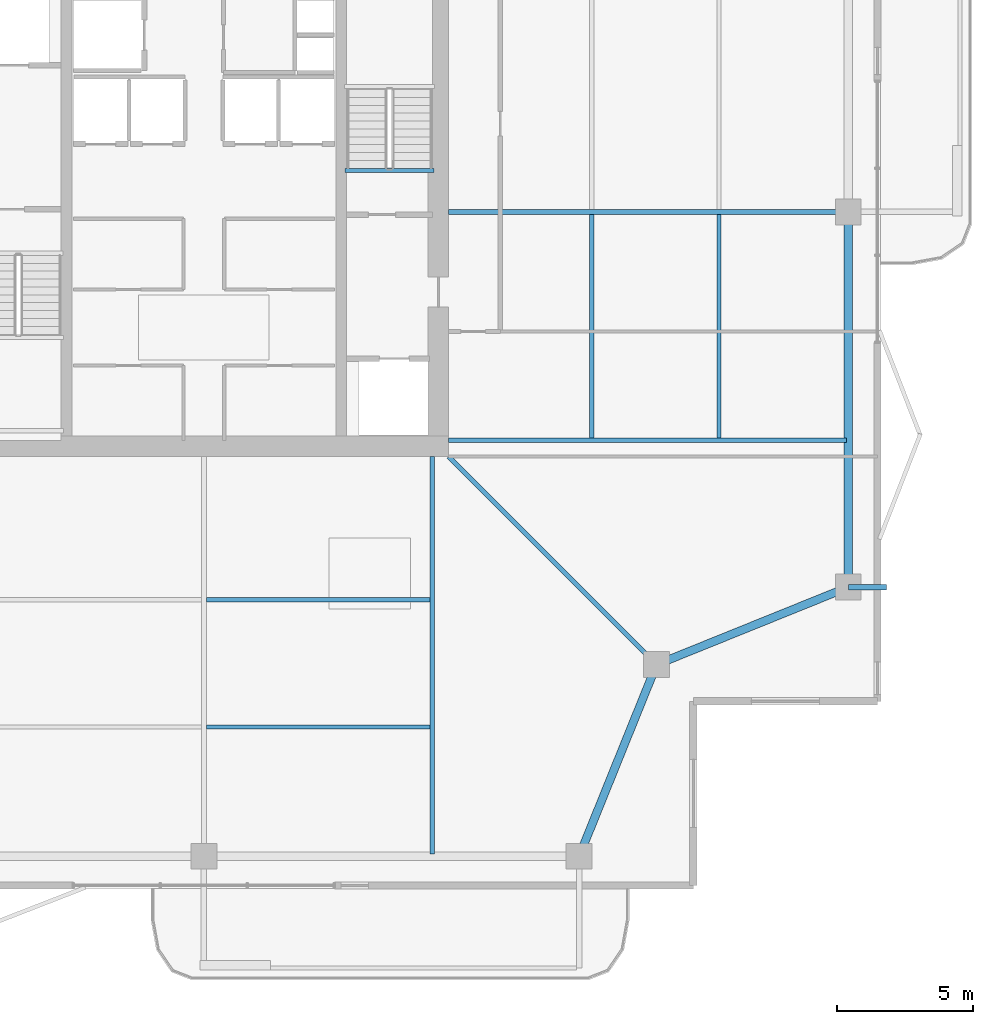
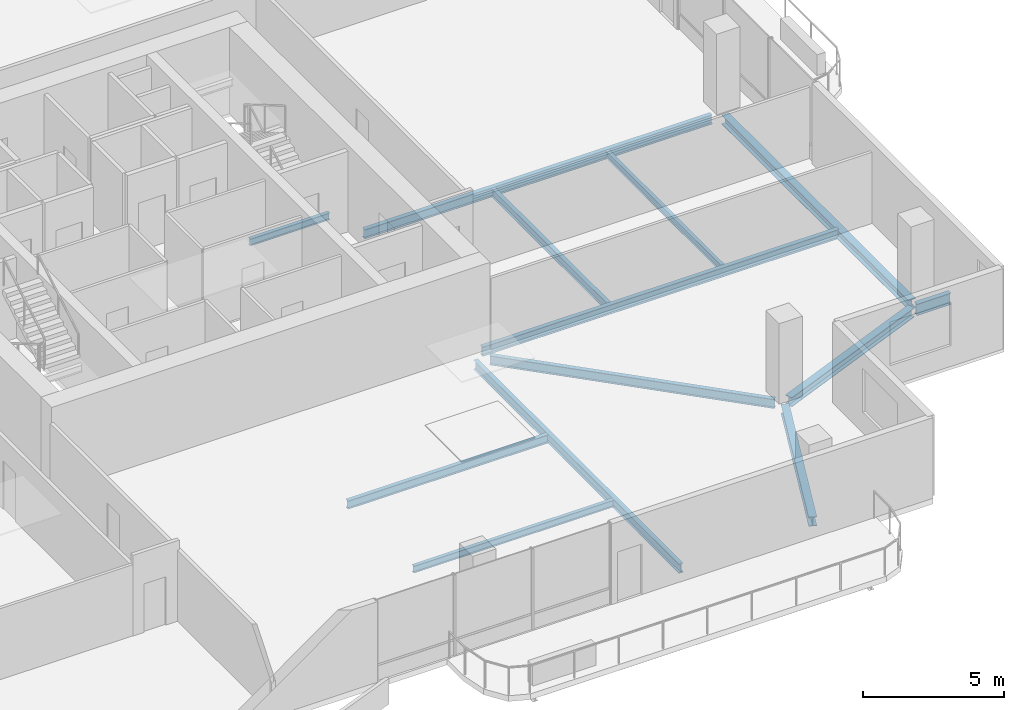
# One storey, part 9 of 24: 13 beams.
"""IFC4 building model written with IfcOpenShell, lengths in metres."""

from ifc_helpers import new_model, si_unit, direction, frame, origin, origin_2d, place, context, subcontext, project, spatial, i_section, extrude, material, material_profile, profile_set, type_object, element, save


model = new_model("IFC4")

# Units and contexts
model_context = context("Model", 3, precision=1e-05, world=origin(), true_north=direction((0.0, 1.0)))
body_context = subcontext(model_context, "Body", "Model", "MODEL_VIEW")
ifc_project = project(units=[si_unit("LENGTHUNIT", "METRE"), si_unit("AREAUNIT", "SQUARE_METRE"), si_unit("VOLUMEUNIT", "CUBIC_METRE"), si_unit("PLANEANGLEUNIT", "RADIAN"), si_unit("MASSUNIT", "GRAM", prefix="KILO")], contexts=[model_context])

# Site, building, storey
site_placement = place(None, origin())
site = spatial("IfcSite", under=ifc_project, at=site_placement, CompositionType="ELEMENT")
building_placement = place(site_placement, origin())
building = spatial("IfcBuilding", under=site, at=building_placement, Name="Belovzor Exchange Tower", CompositionType="ELEMENT")
storey_placement = place(building_placement, frame((0.0, 0.0, 261.60009765625)))
storey = spatial("IfcBuildingStorey", under=building, at=storey_placement, Name="L65", CompositionType="ELEMENT", Elevation=261.60009765625)

# Beams
ifc_material_1 = material(Name="Steel S355", Category="steel")
ifc_material_profile_1 = material_profile(ifc_material_1, i_section(OverallWidth=0.199951171875, OverallDepth=0.5, WebThickness=0.01025390625, FlangeThickness=0.01611328125, at=origin_2d()))
ifc_profile_set_1 = profile_set([ifc_material_profile_1], Name="Steel S355")
beam_type_1 = type_object("IfcBeamType", Name="Planted Balcony Cantilever Beam IPE 500", PredefinedType="BEAM", material=ifc_profile_set_1)
beam_1_placement = place(storey_placement, frame((52.5, 15.0, -0.5), z_axis=(1.0, 0.0, 0.0), x_axis=(0.0, 1.0, 0.0)))
element("IfcBeam", 1, at=beam_1_placement, inside=storey, type_object=beam_type_1, Name="BC-500 Planted Balcony Cantilever Beam IPE 500", PredefinedType="BEAM", context=body_context, shape_type="SweptSolid", body=[
    extrude(i_section(OverallWidth=0.199951171875, OverallDepth=0.5, WebThickness=0.01025390625, FlangeThickness=0.01611328125, at=origin_2d()), origin(), (0.0, 0.0, 1.0), 1.39990234375),
])
ifc_material_2 = material(Name="Steel S355", Category="steel")
ifc_material_profile_2 = material_profile(ifc_material_2, i_section(OverallWidth=0.169921875, OverallDepth=0.360107421875, WebThickness=0.008056640625, FlangeThickness=0.0126953125, at=origin_2d()))
ifc_profile_set_2 = profile_set([ifc_material_profile_2], Name="Steel S355")
beam_type_2 = type_object("IfcBeamType", Name="Secondary Infill Floor Joist IPE 360", PredefinedType="BEAM", material=ifc_profile_set_2)
beam_2_placement = place(storey_placement, frame((28.889892578125, 14.534912109375, -0.43017578125), z_axis=(1.0, 0.0, 0.0), x_axis=(0.0, 1.0, 0.0)))
element("IfcBeam", 2, at=beam_2_placement, inside=storey, type_object=beam_type_2, Name="FJ-360 Secondary Infill Floor Joist IPE 360", PredefinedType="BEAM", context=body_context, shape_type="SweptSolid", body=[
    extrude(i_section(OverallWidth=0.169921875, OverallDepth=0.360107421875, WebThickness=0.008056640625, FlangeThickness=0.0126953125, at=origin_2d()), origin(), (0.0, 0.0, 1.0), 8.22021484375),
])
beam_3_placement = place(storey_placement, frame((43.06494140625, 20.489990234375, -0.43017578125), z_axis=(0.0, 1.0, 0.0), x_axis=(-1.0, 0.0, 0.0)))
element("IfcBeam", 3, at=beam_3_placement, inside=storey, type_object=beam_type_2, Name="FJ-360 Secondary Infill Floor Joist IPE 360", PredefinedType="BEAM", context=body_context, shape_type="SweptSolid", body=[
    extrude(i_section(OverallWidth=0.169921875, OverallDepth=0.360107421875, WebThickness=0.008056640625, FlangeThickness=0.0126953125, at=origin_2d()), origin(), (0.0, 0.0, 1.0), 8.219970703125),
])
ifc_material_3 = material(Name="Steel S355", Category="steel")
ifc_material_profile_3 = material_profile(ifc_material_3, i_section(OverallWidth=0.14990234375, OverallDepth=0.300048828125, WebThickness=0.007080078125, FlangeThickness=0.0107421875, at=origin_2d()))
ifc_profile_set_3 = profile_set([ifc_material_profile_3], Name="Steel S355")
beam_type_3 = type_object("IfcBeamType", Name="Secondary Trim Floor Joist IPE 300", PredefinedType="BEAM", material=ifc_profile_set_3)
beam_4_placement = place(storey_placement, frame((37.260009765625, 30.320068359375, -0.400146484375), z_axis=(-1.0, 0.0, 0.0), x_axis=(0.0, -1.0, 0.0)))
element("IfcBeam", 4, at=beam_4_placement, inside=storey, type_object=beam_type_3, Name="FJ-300 Secondary Trim Floor Joist IPE 300", PredefinedType="BEAM", context=body_context, shape_type="SweptSolid", body=[
    extrude(i_section(OverallWidth=0.14990234375, OverallDepth=0.300048828125, WebThickness=0.007080078125, FlangeThickness=0.0107421875, at=origin_2d()), origin(), (0.0, 0.0, 1.0), 3.27001953125),
])
beam_5_placement = place(storey_placement, frame((28.889892578125, 9.85498046875, -0.400146484375), z_axis=(1.0, 0.0, 0.0), x_axis=(0.0, 1.0, 0.0)))
element("IfcBeam", 5, at=beam_5_placement, inside=storey, type_object=beam_type_3, Name="FJ-300 Secondary Trim Floor Joist IPE 300", PredefinedType="BEAM", context=body_context, shape_type="SweptSolid", body=[
    extrude(i_section(OverallWidth=0.14990234375, OverallDepth=0.300048828125, WebThickness=0.007080078125, FlangeThickness=0.0107421875, at=origin_2d()), origin(), (0.0, 0.0, 1.0), 8.22021484375),
])
beam_6_placement = place(storey_placement, frame((47.7451171875, 20.489990234375, -0.400146484375), z_axis=(0.0, 1.0, 0.0), x_axis=(-1.0, 0.0, 0.0)))
element("IfcBeam", 6, at=beam_6_placement, inside=storey, type_object=beam_type_3, Name="FJ-300 Secondary Trim Floor Joist IPE 300", PredefinedType="BEAM", context=body_context, shape_type="SweptSolid", body=[
    extrude(i_section(OverallWidth=0.14990234375, OverallDepth=0.300048828125, WebThickness=0.007080078125, FlangeThickness=0.0107421875, at=origin_2d()), origin(), (0.0, 0.0, 1.0), 8.219970703125),
])
ifc_material_4 = material(Name="Steel S355", Category="steel")
ifc_material_profile_4 = material_profile(ifc_material_4, i_section(OverallWidth=0.300048828125, OverallDepth=0.39990234375, WebThickness=0.013427734375, FlangeThickness=0.02392578125, at=origin_2d()))
ifc_profile_set_4 = profile_set([ifc_material_profile_4], Name="Steel S355")
beam_type_4 = type_object("IfcBeamType", Name="Zone 5 Primary Girder HEB 400", PredefinedType="BEAM", material=ifc_profile_set_4)
beam_7_placement = place(storey_placement, frame((42.697998046875, 5.342041015625, -0.4501953125), z_axis=(0.374758283536, 0.927122553345, 0.0), x_axis=(-0.927122553345, 0.374758283536, 0.0)))
element("IfcBeam", 7, at=beam_7_placement, inside=storey, type_object=beam_type_4, Name="FG-Z5 Zone 5 Primary Girder HEB 400", PredefinedType="BEAM", context=body_context, shape_type="SweptSolid", body=[
    extrude(i_section(OverallWidth=0.300048828125, OverallDepth=0.39990234375, WebThickness=0.013427734375, FlangeThickness=0.02392578125, at=origin_2d()), origin(), (0.0, 0.0, 1.0), 7.08203125),
])
beam_8_placement = place(storey_placement, frame((45.69189453125, 12.248046875, -0.4501953125), z_axis=(0.927127394661, 0.374746306278, 0.0), x_axis=(-0.374746306278, 0.927127394661, 0.0)))
element("IfcBeam", 8, at=beam_8_placement, inside=storey, type_object=beam_type_4, Name="FG-Z5 Zone 5 Primary Girder HEB 400", PredefinedType="BEAM", context=body_context, shape_type="SweptSolid", body=[
    extrude(i_section(OverallWidth=0.300048828125, OverallDepth=0.39990234375, WebThickness=0.013427734375, FlangeThickness=0.02392578125, at=origin_2d()), origin(), (0.0, 0.0, 1.0), 7.082275390625),
])
beam_9_placement = place(storey_placement, frame((52.5, 15.260986328125, -0.4501953125), z_axis=(0.0, 1.0, 0.0), x_axis=(-1.0, 0.0, 0.0)))
element("IfcBeam", 9, at=beam_9_placement, inside=storey, type_object=beam_type_4, Name="FG-Z5 Zone 5 Primary Girder HEB 400", PredefinedType="BEAM", context=body_context, shape_type="SweptSolid", body=[
    extrude(i_section(OverallWidth=0.300048828125, OverallDepth=0.39990234375, WebThickness=0.013427734375, FlangeThickness=0.02392578125, at=origin_2d()), origin(), (0.0, 0.0, 1.0), 13.278076171875),
])
ifc_material_5 = material(Name="Steel S355", Category="steel")
ifc_material_profile_5 = material_profile(ifc_material_5, i_section(OverallWidth=0.179931640625, OverallDepth=0.39990234375, WebThickness=0.008544921875, FlangeThickness=0.013427734375, at=origin_2d()))
ifc_profile_set_5 = profile_set([ifc_material_profile_5], Name="Steel S355")
beam_type_5 = type_object("IfcBeamType", Name="Zone 5-6 Radial Composite Floor Beam IPE 400", PredefinedType="BEAM", material=ifc_profile_set_5)
for number, where, z_axis, x_axis, name in (
    (10, (37.199951171875, 19.800048828125, -0.4501953125), (0.0, -1.0, 0.0), (1.0, 0.0, 0.0), "FB-400 Zone 5-6 Radial Composite Floor Beam IPE 400"),
    (11, (37.800048828125, 20.39990234375, -0.4501953125), (1.0, 0.0, 0.0), (0.0, 1.0, 0.0), "FB-400 Zone 5-6 Radial Composite Floor Beam IPE 400"),
):
    element("IfcBeam", number, at=place(storey_placement, frame(where, z_axis=z_axis, x_axis=x_axis)), inside=storey, type_object=beam_type_5, Name=name, PredefinedType="BEAM", context=body_context, shape_type="SweptSolid", body=[
        extrude(i_section(OverallWidth=0.179931640625, OverallDepth=0.39990234375, WebThickness=0.008544921875, FlangeThickness=0.013427734375, at=origin_2d()), origin(), (0.0, 0.0, 1.0), 14.625),
    ])
beam_10_placement = place(storey_placement, frame((37.800048828125, 28.800048828125, -0.4501953125), z_axis=(1.0, 0.0, 0.0), x_axis=(0.0, 1.0, 0.0)))
element("IfcBeam", 12, at=beam_10_placement, inside=storey, type_object=beam_type_5, Name="FB-400 Zone 5-6 Radial Composite Floor Beam IPE 400", PredefinedType="BEAM", context=body_context, shape_type="SweptSolid", body=[
    extrude(i_section(OverallWidth=0.179931640625, OverallDepth=0.39990234375, WebThickness=0.008544921875, FlangeThickness=0.013427734375, at=origin_2d()), origin(), (0.0, 0.0, 1.0), 14.281982421875),
])
beam_11_placement = place(storey_placement, frame((37.800048828125, 19.800048828125, -0.4501953125), z_axis=(0.707141714703, -0.707071845944, 0.0), x_axis=(0.707071845944, 0.707141714703, 0.0)))
element("IfcBeam", 13, at=beam_11_placement, inside=storey, type_object=beam_type_5, Name="FB-400 Zone 5-6 Radial Composite Floor Beam IPE 400", PredefinedType="BEAM", context=body_context, shape_type="SweptSolid", body=[
    extrude(i_section(OverallWidth=0.179931640625, OverallDepth=0.39990234375, WebThickness=0.008544921875, FlangeThickness=0.013427734375, at=origin_2d()), origin(), (0.0, 0.0, 1.0), 10.48291015625),
])

save(model, "model.ifc")
